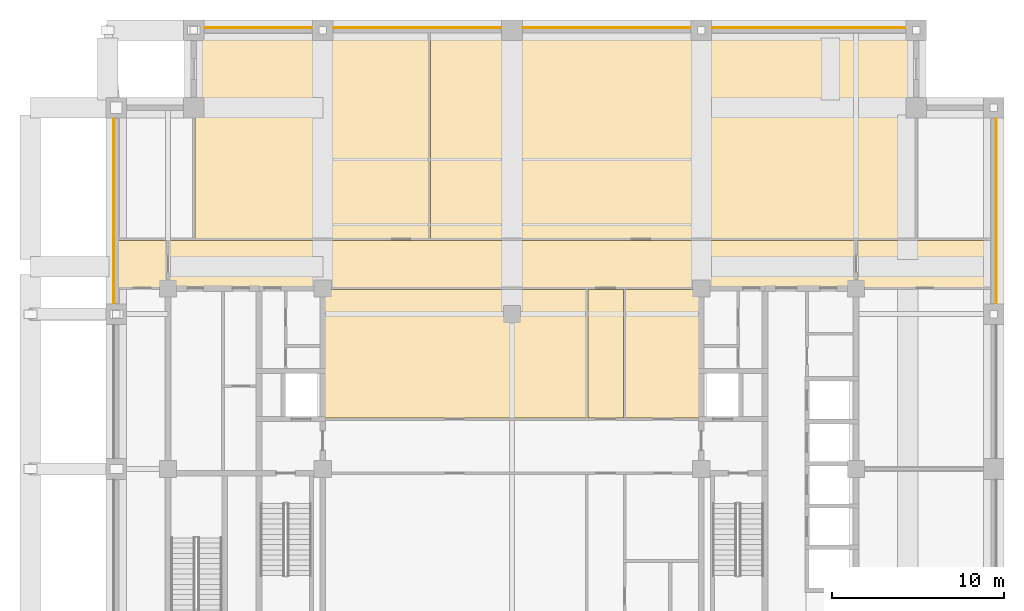
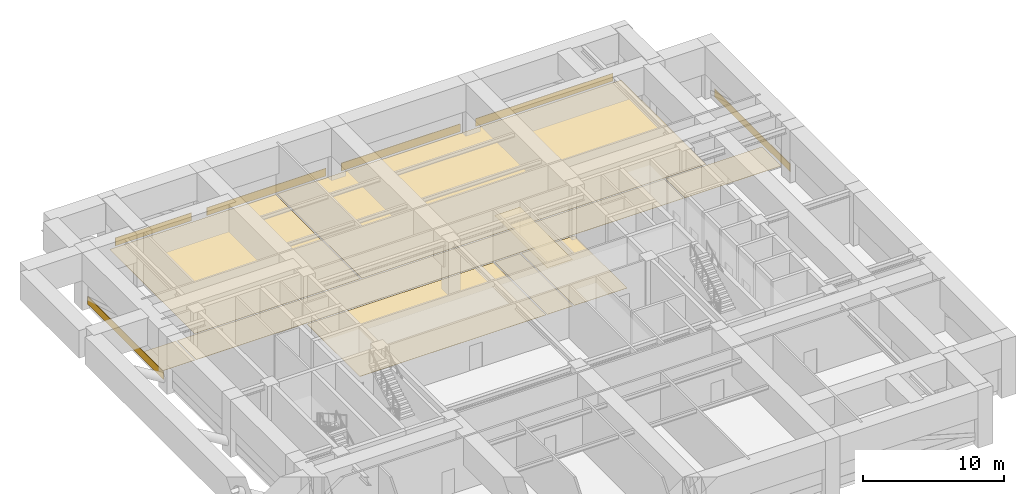
# One storey, part 11 of 11: 15 coverings.
"""IFC4 building model written with IfcOpenShell, lengths in metres."""

from ifc_helpers import new_model, si_unit, direction, frame, frame_2d, origin, place, context, subcontext, project, spatial, polyline, rectangle, outline, extrude, material, layer, layer_set, type_object, element, save


model = new_model("IFC4")

# Units and contexts
model_context = context("Model", 3, precision=1e-05, world=origin(), true_north=direction((0.0, 1.0)))
body_context = subcontext(model_context, "Body", "Model", "MODEL_VIEW")
ifc_project = project(units=[si_unit("LENGTHUNIT", "METRE"), si_unit("AREAUNIT", "SQUARE_METRE"), si_unit("VOLUMEUNIT", "CUBIC_METRE"), si_unit("PLANEANGLEUNIT", "RADIAN"), si_unit("MASSUNIT", "GRAM", prefix="KILO")], contexts=[model_context])

# Site, building, storey
site_placement = place(None, origin())
site = spatial("IfcSite", under=ifc_project, at=site_placement, CompositionType="ELEMENT")
building_placement = place(site_placement, origin())
building = spatial("IfcBuilding", under=site, at=building_placement, Name="Zulmaris Gate Convention Tower", CompositionType="ELEMENT")
storey_placement = place(building_placement, frame((0.0, 0.0, 116.349853515625)))
storey = spatial("IfcBuildingStorey", under=building, at=storey_placement, Name="L29", CompositionType="ELEMENT", Elevation=116.349853515625)

# Coverings
ifc_material_1 = material(Name="Precast concrete C40/50", Category="concrete")
ifc_layer_1 = layer(ifc_material_1, 0.0400390625, Name="Precast concrete C40/50")
ifc_layer_set_1 = layer_set([ifc_layer_1], Name="Precast concrete C40/50")
covering_type_1 = type_object("IfcCoveringType", Name="CLAD-SPANDREL-PRECAST", PredefinedType="CLADDING", material=ifc_layer_set_1)
covering_1_placement = place(storey_placement, frame((-11.6298828125, 25.64990234375, 0.0), z_axis=(0.0, 0.0, 1.0), x_axis=(-1.0, 0.0, 0.0)))
element("IfcCovering", 1, at=covering_1_placement, inside=storey, type_object=covering_type_1, Name="CLD-L29-N-0_0", PredefinedType="CLADDING", context=body_context, shape_type="SweptSolid", body=[
    extrude(rectangle(XDim=6.240234375, YDim=0.0400390625, at=frame_2d((3.1201171875, 0.0))), origin(), (0.0, 0.0, 1.0), 0.679931640625),
])
for number, where, z_axis, x_axis, name in (
    (2, (-0.6298828125, 25.64990234375, 0.0), (0.0, 0.0, 1.0), (-1.0, 0.0, 0.0), "CLD-L29-N-1_0"),
    (3, (10.3701171875, 25.64990234375, 0.0), (0.0, 0.0, 1.0), (-1.0, 0.0, 0.0), "CLD-L29-N-2_0"),
):
    element("IfcCovering", number, at=place(storey_placement, frame(where, z_axis=z_axis, x_axis=x_axis)), inside=storey, type_object=covering_type_1, Name=name, PredefinedType="CLADDING", context=body_context, shape_type="SweptSolid", body=[
        extrude(rectangle(XDim=9.740234375, YDim=0.0400390625, at=frame_2d((4.8701171875, 0.0))), origin(), (0.0, 0.0, 1.0), 0.679931640625),
    ])
covering_2_placement = place(storey_placement, frame((22.8701171875, 25.64990234375, 0.0), z_axis=(0.0, 0.0, 1.0), x_axis=(-1.0, 0.0, 0.0)))
element("IfcCovering", 4, at=covering_2_placement, inside=storey, type_object=covering_type_1, Name="CLD-L29-N-3_0", PredefinedType="CLADDING", context=body_context, shape_type="SweptSolid", body=[
    extrude(rectangle(XDim=11.240234375, YDim=0.0400390625, at=frame_2d((5.6201171875, 0.0))), origin(), (0.0, 0.0, 1.0), 0.679931640625),
])
for number, where, z_axis, x_axis, name in (
    (5, (28.14990234375, 9.6298828125, 0.0), (0.0, 0.0, 1.0), (0.0, 1.0, 0.0), "CLD-L29-E-3_0"),
    (6, (-23.14990234375, 20.3701171875, 0.0), (0.0, 0.0, 1.0), (0.0, -1.0, 0.0), "CLD-L29-W-3_0"),
):
    element("IfcCovering", number, at=place(storey_placement, frame(where, z_axis=z_axis, x_axis=x_axis)), inside=storey, type_object=covering_type_1, Name=name, PredefinedType="CLADDING", context=body_context, shape_type="SweptSolid", body=[
        extrude(rectangle(XDim=10.740234375, YDim=0.0400390625, at=frame_2d((5.3701171875, 0.0))), origin(), (0.0, 0.0, 1.0), 0.679931640625),
    ])
ifc_material_2 = material(Name="Mineral Fibre Acoustic Ceiling Tile")
ifc_layer_2 = layer(ifc_material_2, 0.02001953125, Name="Mineral Fibre Acoustic Ceiling Tile")
ifc_layer_set_2 = layer_set([ifc_layer_2], Name="Mineral Fibre Acoustic Ceiling Tile")
covering_type_2 = type_object("IfcCoveringType", Name="CLG-ACOUSTIC-600", PredefinedType="CEILING", material=ifc_layer_set_2)
covering_3_placement = place(storey_placement, frame((0.0, 0.0, 4.032958984375)))
element("IfcCovering", 7, at=covering_3_placement, inside=storey, type_object=covering_type_2, Name="CLG-L29-R33", PredefinedType="CEILING", context=body_context, shape_type="SweptSolid", body=[
    extrude(outline(polyline([(4.409912109375, 2.9599609375), (6.489990234375, 2.9599609375), (6.489990234375, 10.43994140625), (4.409912109375, 10.43994140625), (4.409912109375, 2.9599609375)])), origin(), (0.0, 0.0, 1.0), 0.02001953125),
])
ifc_material_3 = material(Name="Woven Acoustic Wool Carpet Tile")
ifc_layer_3 = layer(ifc_material_3, 0.02001953125, Name="Woven Acoustic Wool Carpet Tile")
ifc_layer_set_3 = layer_set([ifc_layer_3], Name="Woven Acoustic Wool Carpet Tile")
covering_type_3 = type_object("IfcCoveringType", Name="FLR-CARPET-12", PredefinedType="FLOORING", material=ifc_layer_set_3)
covering_4_placement = place(storey_placement, origin())
element("IfcCovering", 8, at=covering_4_placement, inside=storey, type_object=covering_type_3, Name="FLR-L29-R30", PredefinedType="FLOORING", context=body_context, shape_type="SweptSolid", body=[
    extrude(outline(polyline([(-19.93994140625, 10.56005859375), (19.93994140625, 10.56005859375), (19.93994140625, 13.2900390625), (-19.93994140625, 13.2900390625), (-19.93994140625, 10.56005859375)])), origin(), (0.0, 0.0, 1.0), 0.02001953125),
])
covering_5_placement = place(storey_placement, origin())
element("IfcCovering", 9, at=covering_5_placement, inside=storey, type_object=covering_type_3, Name="FLR-L29-R33", PredefinedType="FLOORING", context=body_context, shape_type="SweptSolid", body=[
    extrude(outline(polyline([(4.409912109375, 2.9599609375), (6.489990234375, 2.9599609375), (6.489990234375, 10.43994140625), (4.409912109375, 10.43994140625), (4.409912109375, 2.9599609375)])), origin(), (0.0, 0.0, 1.0), 0.02001953125),
])
covering_6_placement = place(storey_placement, origin())
element("IfcCovering", 10, at=covering_6_placement, inside=storey, type_object=covering_type_3, Name="FLR-L29-R36", PredefinedType="FLOORING", context=body_context, shape_type="SweptSolid", body=[
    extrude(outline(polyline([(-4.739990234375, 13.409912109375), (23.43994140625, 13.409912109375), (23.43994140625, 25.43994140625), (-4.739990234375, 25.43994140625), (-4.739990234375, 13.409912109375)])), origin(), (0.0, 0.0, 1.0), 0.02001953125),
])
covering_7_placement = place(storey_placement, origin())
element("IfcCovering", 11, at=covering_7_placement, inside=storey, type_object=covering_type_3, Name="FLR-L29-R43", PredefinedType="FLOORING", context=body_context, shape_type="SweptSolid", body=[
    extrude(outline(polyline([(6.610107421875, 2.9599609375), (10.93994140625, 2.9599609375), (10.93994140625, 10.43994140625), (6.610107421875, 10.43994140625), (6.610107421875, 2.9599609375)])), origin(), (0.0, 0.0, 1.0), 0.02001953125),
])
covering_8_placement = place(storey_placement, origin())
element("IfcCovering", 12, at=covering_8_placement, inside=storey, type_object=covering_type_3, Name="FLR-L29-R48", PredefinedType="FLOORING", context=body_context, shape_type="SweptSolid", body=[
    extrude(outline(polyline([(-22.93994140625, 10.56005859375), (-20.06005859375, 10.56005859375), (-20.06005859375, 13.2900390625), (-22.93994140625, 13.2900390625), (-22.93994140625, 10.56005859375)])), origin(), (0.0, 0.0, 1.0), 0.02001953125),
])
covering_9_placement = place(storey_placement, origin())
element("IfcCovering", 13, at=covering_9_placement, inside=storey, type_object=covering_type_3, Name="FLR-L29-R51", PredefinedType="FLOORING", context=body_context, shape_type="SweptSolid", body=[
    extrude(outline(polyline([(20.06005859375, 10.56005859375), (27.93994140625, 10.56005859375), (27.93994140625, 13.2900390625), (20.06005859375, 13.2900390625), (20.06005859375, 10.56005859375)])), origin(), (0.0, 0.0, 1.0), 0.02001953125),
])
ifc_material_4 = material(Name="Polished Granite Terrazzo Tile", Category="masonry")
ifc_layer_4 = layer(ifc_material_4, 0.02001953125, Name="Polished Granite Terrazzo Tile")
ifc_layer_set_4 = layer_set([ifc_layer_4], Name="Polished Granite Terrazzo Tile")
covering_type_4 = type_object("IfcCoveringType", Name="FLR-TERRAZZO-30", PredefinedType="FLOORING", material=ifc_layer_set_4)
covering_10_placement = place(storey_placement, origin())
element("IfcCovering", 14, at=covering_10_placement, inside=storey, type_object=covering_type_4, Name="FLR-L29-R42", PredefinedType="FLOORING", context=body_context, shape_type="SweptSolid", body=[
    extrude(outline(polyline([(-10.93994140625, 2.9599609375), (4.2900390625, 2.9599609375), (4.2900390625, 10.43994140625), (-10.93994140625, 10.43994140625), (-10.93994140625, 2.9599609375)])), origin(), (0.0, 0.0, 1.0), 0.02001953125),
])
ifc_material_5 = material(Name="Engineered Teak Parquet Flooring")
ifc_layer_5 = layer(ifc_material_5, 0.02001953125, Name="Engineered Teak Parquet Flooring")
ifc_layer_set_5 = layer_set([ifc_layer_5], Name="Engineered Teak Parquet Flooring")
covering_type_5 = type_object("IfcCoveringType", Name="FLR-TIMBER-18", PredefinedType="FLOORING", material=ifc_layer_set_5)
covering_11_placement = place(storey_placement, origin())
element("IfcCovering", 15, at=covering_11_placement, inside=storey, type_object=covering_type_5, Name="FLR-L29-R35", PredefinedType="FLOORING", context=body_context, shape_type="SweptSolid", body=[
    extrude(outline(polyline([(-18.43994140625, 13.409912109375), (-4.860107421875, 13.409912109375), (-4.860107421875, 25.43994140625), (-18.43994140625, 25.43994140625), (-18.43994140625, 13.409912109375)])), origin(), (0.0, 0.0, 1.0), 0.02001953125),
])

save(model, "model.ifc")
